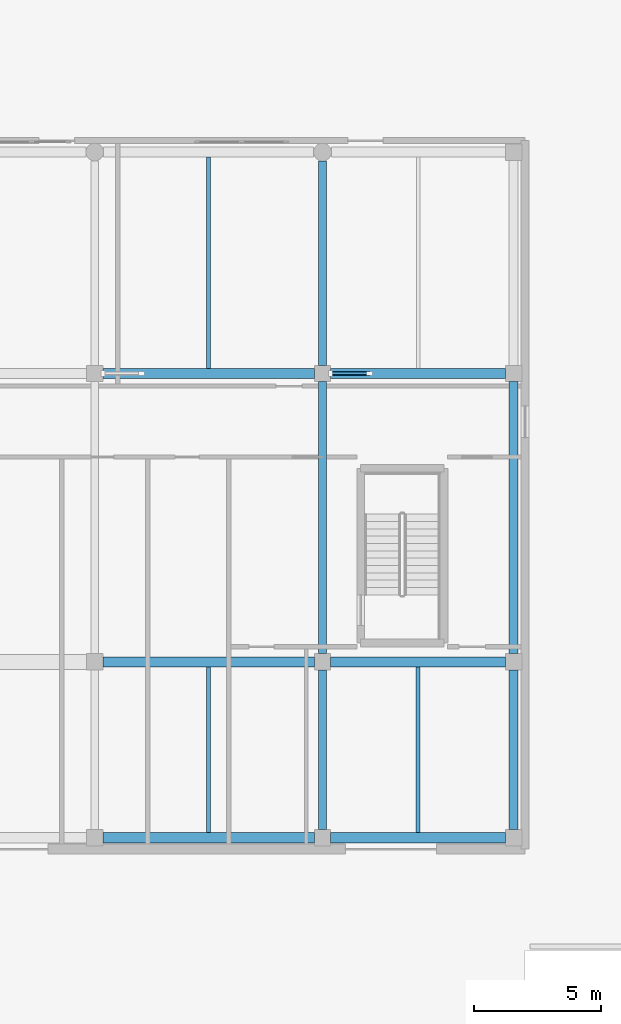
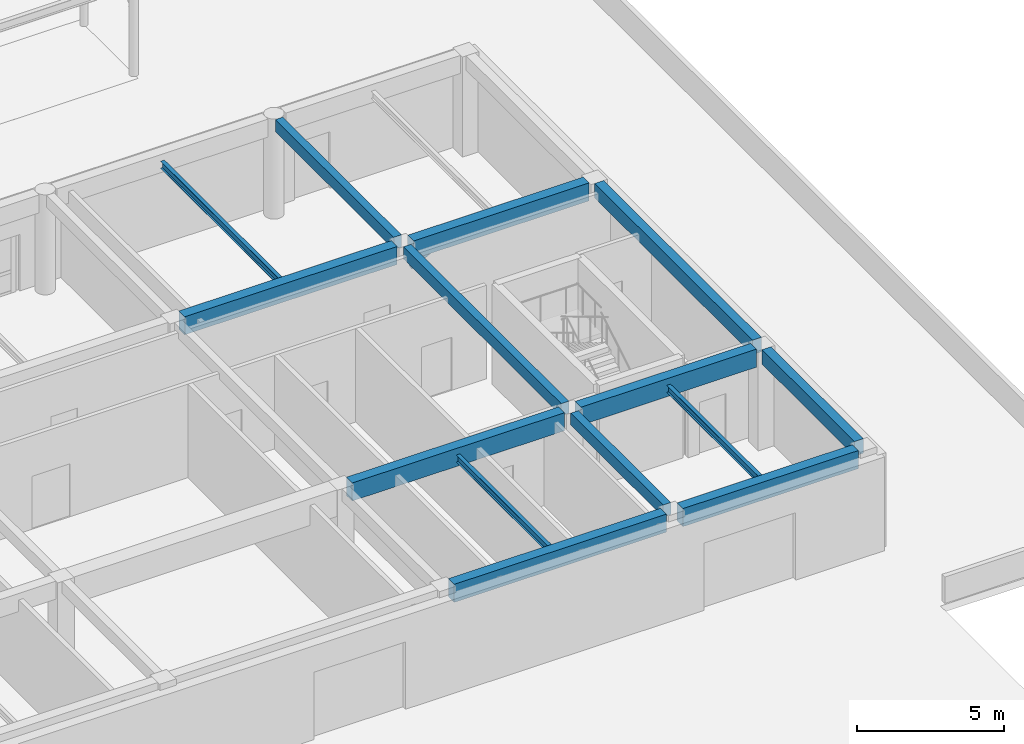
# One storey, part 47 of 114: 14 beams, 1 member.
"""IFC4 building model written with IfcOpenShell, lengths in metres."""

import ifcopenshell
import ifcopenshell.guid

model = None  # the IFC model being written
_history = None  # IfcOwnerHistory: only IFC2X3 demands one
_inside = {}  # id of a spatial element -> (the spatial element, [elements in it])
_under = {}  # id of a project, library or spatial element -> (it, [spatial elements below it])
_declared = {}  # id of a project -> (the project, [libraries it declares])
_typed = {}  # id of a type object -> (the type object, [elements of that type])
_made_of = {}  # id of a material, layer set ... -> (it, [elements and type objects made of it])


def new_model(schema):
    """Start an empty IFC model of exactly this schema.

    Asked for "IFC4X3", IfcOpenShell would pick the latest addendum, in which some entities
    have other attributes; the version numbers below select the first issue.
    IFC2X3 requires an IfcOwnerHistory on every rooted entity: one is made here for all.
    """
    global model, _history
    if schema == "IFC4X3":
        model = ifcopenshell.file(schema_version=(4, 3, 0, 0))
    else:
        model = ifcopenshell.file(schema=schema)
    _inside.clear()
    _under.clear()
    _declared.clear()
    _typed.clear()
    _made_of.clear()
    _history = None
    if model.schema == "IFC2X3":
        org = make("IfcOrganization", Name="unknown")
        user = make(
            "IfcPersonAndOrganization",
            ThePerson=make("IfcPerson", FamilyName="unknown"),
            TheOrganization=org,
        )
        app = make(
            "IfcApplication",
            ApplicationDeveloper=org,
            Version="unknown",
            ApplicationFullName="unknown",
            ApplicationIdentifier="unknown",
        )
        _history = make(
            "IfcOwnerHistory",
            OwningUser=user,
            OwningApplication=app,
            ChangeAction="ADDED",
            CreationDate=0,
        )
    return model


def make(cls, **values):
    """One entity of the class cls with the attributes given. An attribute that is None is left unset."""
    return model.create_entity(
        cls, **{name: value for name, value in values.items() if value is not None}
    )


def rooted(cls, **values):
    """An entity with a GlobalId (a new one), such as an element, a storey or a relation."""
    return make(cls, GlobalId=ifcopenshell.guid.new(), OwnerHistory=_history, **values)


def si_unit(unit_type, name, prefix=None):
    """IfcSIUnit, for example si_unit("LENGTHUNIT", "METRE", prefix="MILLI")."""
    return make("IfcSIUnit", UnitType=unit_type, Prefix=prefix, Name=name)


def assignment(units):
    """IfcUnitAssignment: the units of a project."""
    return None if units is None else make("IfcUnitAssignment", Units=units)


def point(xyz):
    """IfcCartesianPoint."""
    return None if xyz is None else make("IfcCartesianPoint", Coordinates=xyz)


def direction(xyz):
    """IfcDirection."""
    return None if xyz is None else make("IfcDirection", DirectionRatios=xyz)


def frame(location, z_axis=None, x_axis=None):
    """IfcAxis2Placement3D, a coordinate frame: its origin and axes. An axis left out is left unset."""
    return make(
        "IfcAxis2Placement3D",
        Location=point(location),
        Axis=direction(z_axis),
        RefDirection=direction(x_axis),
    )


def frame_2d(location, x_axis=None):
    """IfcAxis2Placement2D, a coordinate frame in the plane: its origin and x axis."""
    return make(
        "IfcAxis2Placement2D", Location=point(location), RefDirection=direction(x_axis)
    )


def origin():
    """The frame at (0, 0, 0) with its axes left unset."""
    return frame((0.0, 0.0, 0.0))


def origin_2d():
    """The frame at (0, 0) in the plane with its x axis left unset."""
    return frame_2d((0.0, 0.0))


def place(relative_to, where):
    """IfcLocalPlacement: puts the frame where relative to a parent placement (None: the world)."""
    return make(
        "IfcLocalPlacement", PlacementRelTo=relative_to, RelativePlacement=where
    )


def context(
    kind, dimensions, precision=None, world=None, true_north=None, identifier=None
):
    """IfcGeometricRepresentationContext, for example the 3D "Model" context."""
    return make(
        "IfcGeometricRepresentationContext",
        ContextIdentifier=identifier,
        ContextType=kind,
        CoordinateSpaceDimension=dimensions,
        Precision=precision,
        WorldCoordinateSystem=world,
        TrueNorth=true_north,
    )


def subcontext(parent, identifier, kind, view, scale=None):
    """IfcGeometricRepresentationSubContext, for example "Body" below "Model"."""
    return make(
        "IfcGeometricRepresentationSubContext",
        ContextIdentifier=identifier,
        ContextType=kind,
        ParentContext=parent,
        TargetScale=scale,
        TargetView=view,
    )


def project(units=None, contexts=None):
    """IfcProject with its units and contexts."""
    return rooted(
        "IfcProject",
        Name="project",
        RepresentationContexts=contexts,
        UnitsInContext=assignment(units),
    )


def spatial(cls, under=None, at=None, **own):
    """A site, building, storey or space (cls), placed at a placement, below another one or the project."""
    s = rooted(cls, ObjectPlacement=at, **own)
    if under is not None:
        _under.setdefault(under.id(), (under, []))[1].append(s)
    return s


def profile(cls, at=None, kind="AREA", **sizes):
    """A parametric profile (cls). Its sizes go by their IFC names, for example OverallWidth=200.0."""
    return make(cls, ProfileType=kind, Position=at, **sizes)


def rectangle(**sizes):
    """IfcRectangleProfileDef."""
    return profile("IfcRectangleProfileDef", **sizes)


def hollow_circle(**sizes):
    """IfcCircleHollowProfileDef."""
    return profile("IfcCircleHollowProfileDef", **sizes)


def i_section(**sizes):
    """IfcIShapeProfileDef."""
    return profile("IfcIShapeProfileDef", **sizes)


def extrude(swept, where, along, depth):
    """IfcExtrudedAreaSolid: the profile swept, set in the frame where, extruded along a direction by depth."""
    return make(
        "IfcExtrudedAreaSolid",
        SweptArea=swept,
        Position=where,
        ExtrudedDirection=direction(along),
        Depth=depth,
    )


def shape(context_of_items, identifier, shape_type, items):
    """IfcShapeRepresentation: the items that make up one representation, for example the "Body"."""
    return make(
        "IfcShapeRepresentation",
        ContextOfItems=context_of_items,
        RepresentationIdentifier=identifier,
        RepresentationType=shape_type,
        Items=items,
    )


def material(Name=None, Category=None):
    """IfcMaterial."""
    return make("IfcMaterial", Name=Name, Category=Category)


def material_profile(
    of_material, cross_section, Name=None, Category=None, Priority=None
):
    """IfcMaterialProfile: a cross section and its material."""
    return make(
        "IfcMaterialProfile",
        Name=Name,
        Material=of_material,
        Profile=cross_section,
        Priority=Priority,
        Category=Category,
    )


def profile_set(profiles, Name=None, composite=None):
    """IfcMaterialProfileSet."""
    return make(
        "IfcMaterialProfileSet",
        Name=Name,
        MaterialProfiles=profiles,
        CompositeProfile=composite,
    )


def made_of(thing, what):
    """Note that an element or type object is made of a material, layer set ...; save() writes the relation."""
    if what is not None:
        _made_of.setdefault(what.id(), (what, []))[1].append(thing)
    return thing


def type_object(cls, material=None, **own):
    """A type object (cls), such as IfcWallType, which elements share."""
    return made_of(rooted(cls, **own), material)


def element(
    cls,
    number,
    at=None,
    inside=None,
    cuts=None,
    type_object=None,
    material=None,
    context=None,
    identifier="Body",
    shape_type=None,
    held_by="IfcProductDefinitionShape",
    body=None,
    shapes=None,
    **own,
):
    """One element of the class cls, such as IfcWall. Its Tag is "e" and its number.

    at: its placement. inside: the storey or other place that contains it. cuts: it is an
    opening in that element (IfcRelVoidsElement). A single representation is given by context,
    identifier, shape_type and body (its items); several are given by shapes. held_by: the class
    of the entity that holds the representations. save() writes the other relations.
    """
    e = rooted(cls, Tag="e%d" % number, ObjectPlacement=at, **own)
    if body is not None:
        shapes = [shape(context, identifier, shape_type, body)]
    if shapes is not None:
        e.Representation = make(held_by, Representations=shapes)
    if inside is not None:
        _inside.setdefault(inside.id(), (inside, []))[1].append(e)
    if cuts is not None:
        rooted(
            "IfcRelVoidsElement", RelatingBuildingElement=cuts, RelatedOpeningElement=e
        )
    if type_object is not None:
        _typed.setdefault(type_object.id(), (type_object, []))[1].append(e)
    return made_of(e, material)


def aggregate(whole, parts):
    """IfcRelAggregates: a whole, such as a stair, and the parts it consists of."""
    return rooted("IfcRelAggregates", RelatingObject=whole, RelatedObjects=parts)


def save(model, path):
    """Write the relations noted so far, then the file.

    IfcRelAggregates (storeys below a building ...), IfcRelContainedInSpatialStructure (elements
    in a storey), IfcRelDefinesByType, IfcRelAssociatesMaterial and IfcRelDeclares: one each for
    every whole, place, type object, material and project.
    """
    for whole, parts in _under.values():
        aggregate(whole, parts)
    for where, things in _inside.values():
        rooted(
            "IfcRelContainedInSpatialStructure",
            RelatedElements=things,
            RelatingStructure=where,
        )
    for kind, things in _typed.values():
        rooted("IfcRelDefinesByType", RelatedObjects=things, RelatingType=kind)
    for what, things in _made_of.values():
        rooted("IfcRelAssociatesMaterial", RelatedObjects=things, RelatingMaterial=what)
    for by, libraries in _declared.values():
        rooted("IfcRelDeclares", RelatingContext=by, RelatedDefinitions=libraries)
    model.write(path)


model = new_model("IFC4")

# Units and contexts
model_context = context("Model", 3, precision=1e-05, world=origin(), true_north=direction((0.0, 1.0)))
body_context = subcontext(model_context, "Body", "Model", "MODEL_VIEW")
ifc_project = project(units=[si_unit("LENGTHUNIT", "METRE"), si_unit("AREAUNIT", "SQUARE_METRE"), si_unit("VOLUMEUNIT", "CUBIC_METRE"), si_unit("PLANEANGLEUNIT", "RADIAN"), si_unit("MASSUNIT", "GRAM", prefix="KILO")], contexts=[model_context])

# Site, building, storey
site_placement = place(None, origin())
site = spatial("IfcSite", under=ifc_project, at=site_placement, CompositionType="ELEMENT")
building_placement = place(site_placement, origin())
building = spatial("IfcBuilding", under=site, at=building_placement, Name="Keldmere Railside Commons", CompositionType="ELEMENT")
storey_placement = place(building_placement, origin())
storey = spatial("IfcBuildingStorey", under=building, at=storey_placement, Name="L00", CompositionType="ELEMENT", Elevation=0.0)

# Member
ifc_material_1 = material(Name="Steel F-36 (S355)", Category="steel")
ifc_material_profile_1 = material_profile(ifc_material_1, hollow_circle(Radius=0.083984375, WallThickness=0.008056640625, at=origin_2d()), Name="CHS-168x8")
ifc_profile_set_1 = profile_set([ifc_material_profile_1], Name="Steel F-36 (S355)")
member_type = type_object("IfcMemberType", Name="Arcade Portal Knee Brace CHS168", PredefinedType="BRACE", material=ifc_profile_set_1)
member_placement = place(storey_placement, frame((168.320068359375, 30.800048828125, 2.949951171875), z_axis=(0.878976059139, 0.0, 0.476865900921), x_axis=(0.0, 1.0, 0.0)))
element("IfcMember", 1, at=member_placement, inside=storey, type_object=member_type, Name="BR-2 MEM-ABR-056", PredefinedType="BRACE", context=body_context, shape_type="SweptSolid", body=[
    extrude(hollow_circle(Radius=0.083984375, WallThickness=0.008056640625, at=origin_2d()), origin(), (0.0, 0.0, 1.0), 1.74072265625),
])

# Beams
ifc_material_2 = material(Name="Concrete H-35 (C35/45)", Category="concrete")
ifc_material_profile_2 = material_profile(ifc_material_2, rectangle(XDim=0.39990234375, YDim=0.75, at=origin_2d()), Name="RC-400x750")
ifc_profile_set_2 = profile_set([ifc_material_profile_2], Name="Concrete H-35 (C35/45)")
beam_type_1 = type_object("IfcBeamType", Name="Civic Frame RC Girder 400x750", PredefinedType="BEAM", material=ifc_profile_set_2)
beam_1_placement = place(storey_placement, frame((159.324951171875, 12.449951171875, 3.784912109375), z_axis=(1.0, 0.0, 0.0), x_axis=(0.0, 1.0, 0.0)))
element("IfcBeam", 2, at=beam_1_placement, inside=storey, type_object=beam_type_1, Name="BG-2 BM-L00-0426", PredefinedType="BEAM", context=body_context, shape_type="SweptSolid", body=[
    extrude(rectangle(XDim=0.39990234375, YDim=0.75, at=origin_2d()), origin(), (0.0, 0.0, 1.0), 8.35009765625),
])
beam_2_placement = place(storey_placement, frame((168.324951171875, 12.449951171875, 3.784912109375), z_axis=(1.0, 0.0, 0.0), x_axis=(0.0, 1.0, 0.0)))
element("IfcBeam", 3, at=beam_2_placement, inside=storey, type_object=beam_type_1, Name="BG-2 BM-L00-0427", PredefinedType="BEAM", context=body_context, shape_type="SweptSolid", body=[
    extrude(rectangle(XDim=0.39990234375, YDim=0.75, at=origin_2d()), origin(), (0.0, 0.0, 1.0), 6.900146484375),
])
beam_3_placement = place(storey_placement, frame((159.324951171875, 19.39990234375, 3.784912109375), z_axis=(1.0, 0.0, 0.0), x_axis=(0.0, 1.0, 0.0)))
element("IfcBeam", 4, at=beam_3_placement, inside=storey, type_object=beam_type_1, Name="BG-2 BM-L00-0434", PredefinedType="BEAM", context=body_context, shape_type="SweptSolid", body=[
    extrude(rectangle(XDim=0.39990234375, YDim=0.75, at=origin_2d()), origin(), (0.0, 0.0, 1.0), 8.35009765625),
])
beam_4_placement = place(storey_placement, frame((168.324951171875, 19.39990234375, 3.784912109375), z_axis=(1.0, 0.0, 0.0), x_axis=(0.0, 1.0, 0.0)))
element("IfcBeam", 5, at=beam_4_placement, inside=storey, type_object=beam_type_1, Name="BG-2 BM-L00-0435", PredefinedType="BEAM", context=body_context, shape_type="SweptSolid", body=[
    extrude(rectangle(XDim=0.39990234375, YDim=0.75, at=origin_2d()), origin(), (0.0, 0.0, 1.0), 6.900146484375),
])
beam_5_placement = place(storey_placement, frame((159.324951171875, 30.800048828125, 3.784912109375), z_axis=(1.0, 0.0, 0.0), x_axis=(0.0, 1.0, 0.0)))
element("IfcBeam", 6, at=beam_5_placement, inside=storey, type_object=beam_type_1, Name="BG-2 BM-L00-0443", PredefinedType="BEAM", context=body_context, shape_type="SweptSolid", body=[
    extrude(rectangle(XDim=0.39990234375, YDim=0.75, at=origin_2d()), origin(), (0.0, 0.0, 1.0), 8.35009765625),
])
beam_6_placement = place(storey_placement, frame((168.324951171875, 30.800048828125, 3.784912109375), z_axis=(1.0, 0.0, 0.0), x_axis=(0.0, 1.0, 0.0)))
element("IfcBeam", 7, at=beam_6_placement, inside=storey, type_object=beam_type_1, Name="BG-2 BM-L00-0444", PredefinedType="BEAM", context=body_context, shape_type="SweptSolid", body=[
    extrude(rectangle(XDim=0.39990234375, YDim=0.75, at=origin_2d()), origin(), (0.0, 0.0, 1.0), 6.900146484375),
])
ifc_material_profile_3 = material_profile(ifc_material_1, i_section(OverallWidth=0.14990234375, OverallDepth=0.300048828125, WebThickness=0.007080078125, FlangeThickness=0.0107421875, at=origin_2d()), Name="IPE-300")
ifc_profile_set_3 = profile_set([ifc_material_profile_3], Name="Steel F-36 (S355)")
beam_type_2 = type_object("IfcBeamType", Name="Podium & Arcade Steel Joist IPE300", PredefinedType="JOIST", material=ifc_profile_set_3)
for number, where, z_axis, x_axis, name in (
    (8, (163.5, 12.64990234375, 3.739990234375), (0.0, 1.0, 0.0), (-1.0, 0.0, 0.0), "JST-1 BM-L00-0679"),
    (9, (171.77490234375, 12.64990234375, 3.739990234375), (0.0, 1.0, 0.0), (-1.0, 0.0, 0.0), "JST-1 BM-L00-0680"),
):
    element("IfcBeam", number, at=place(storey_placement, frame(where, z_axis=z_axis, x_axis=x_axis)), inside=storey, type_object=beam_type_2, Name=name, PredefinedType="JOIST", context=body_context, shape_type="SweptSolid", body=[
        extrude(i_section(OverallWidth=0.14990234375, OverallDepth=0.300048828125, WebThickness=0.007080078125, FlangeThickness=0.0107421875, at=origin_2d()), origin(), (0.0, 0.0, 1.0), 6.550048828125),
    ])
beam_7_placement = place(storey_placement, frame((163.5, 31.0, 3.739990234375), z_axis=(0.0, 1.0, 0.0), x_axis=(-1.0, 0.0, 0.0)))
element("IfcBeam", 10, at=beam_7_placement, inside=storey, type_object=beam_type_2, Name="JST-1 BM-L00-0689", PredefinedType="JOIST", context=body_context, shape_type="SweptSolid", body=[
    extrude(i_section(OverallWidth=0.14990234375, OverallDepth=0.300048828125, WebThickness=0.007080078125, FlangeThickness=0.0107421875, at=origin_2d()), origin(), (0.0, 0.0, 1.0), 8.35009765625),
])
ifc_material_3 = material(Name="Concrete H-30 (C30/37)", Category="concrete")
ifc_material_profile_4 = material_profile(ifc_material_3, rectangle(XDim=0.35009765625, YDim=0.60009765625, at=origin_2d()), Name="RC-350x600")
ifc_profile_set_4 = profile_set([ifc_material_profile_4], Name="Concrete H-30 (C30/37)")
beam_type_3 = type_object("IfcBeamType", Name="Residential Chord RC Beam 350x600", PredefinedType="BEAM", material=ifc_profile_set_4)
beam_8_placement = place(storey_placement, frame((175.550048828125, 12.77490234375, 3.860107421875), z_axis=(0.0, 1.0, 0.0), x_axis=(-1.0, 0.0, 0.0)))
element("IfcBeam", 11, at=beam_8_placement, inside=storey, type_object=beam_type_3, Name="BG-4 BM-L00-0665", PredefinedType="BEAM", context=body_context, shape_type="SweptSolid", body=[
    extrude(rectangle(XDim=0.35009765625, YDim=0.60009765625, at=origin_2d()), origin(), (0.0, 0.0, 1.0), 6.300048828125),
])
beam_9_placement = place(storey_placement, frame((175.550048828125, 19.72509765625, 3.860107421875), z_axis=(0.0, 1.0, 0.0), x_axis=(-1.0, 0.0, 0.0)))
element("IfcBeam", 12, at=beam_9_placement, inside=storey, type_object=beam_type_3, Name="BG-4 BM-L00-0666", PredefinedType="BEAM", context=body_context, shape_type="SweptSolid", body=[
    extrude(rectangle(XDim=0.35009765625, YDim=0.60009765625, at=origin_2d()), origin(), (0.0, 0.0, 1.0), 10.75),
])
ifc_material_profile_5 = material_profile(ifc_material_3, rectangle(XDim=0.300048828125, YDim=0.5, at=origin_2d()), Name="RC-300x500")
ifc_profile_set_5 = profile_set([ifc_material_profile_5], Name="Concrete H-30 (C30/37)")
beam_type_4 = type_object("IfcBeamType", Name="Secondary Frame RC Beam 300x500", PredefinedType="BEAM", material=ifc_profile_set_5)
beam_10_placement = place(storey_placement, frame((168.0, 12.77490234375, 3.909912109375), z_axis=(0.0, 1.0, 0.0), x_axis=(-1.0, 0.0, 0.0)))
element("IfcBeam", 13, at=beam_10_placement, inside=storey, type_object=beam_type_4, Name="BG-5 BM-L00-0650", PredefinedType="BEAM", context=body_context, shape_type="SweptSolid", body=[
    extrude(rectangle(XDim=0.300048828125, YDim=0.5, at=origin_2d()), origin(), (0.0, 0.0, 1.0), 6.300048828125),
])
beam_11_placement = place(storey_placement, frame((168.0, 19.72509765625, 3.909912109375), z_axis=(0.0, 1.0, 0.0), x_axis=(-1.0, 0.0, 0.0)))
element("IfcBeam", 14, at=beam_11_placement, inside=storey, type_object=beam_type_4, Name="BG-5 BM-L00-0651", PredefinedType="BEAM", context=body_context, shape_type="SweptSolid", body=[
    extrude(rectangle(XDim=0.300048828125, YDim=0.5, at=origin_2d()), origin(), (0.0, 0.0, 1.0), 10.75),
])
beam_12_placement = place(storey_placement, frame((168.0, 31.125, 3.909912109375), z_axis=(0.0, 1.0, 0.0), x_axis=(-1.0, 0.0, 0.0)))
element("IfcBeam", 15, at=beam_12_placement, inside=storey, type_object=beam_type_4, Name="BG-5 BM-L00-0652", PredefinedType="BEAM", context=body_context, shape_type="SweptSolid", body=[
    extrude(rectangle(XDim=0.300048828125, YDim=0.5, at=origin_2d()), origin(), (0.0, 0.0, 1.0), 8.074951171875),
])

save(model, "model.ifc")
